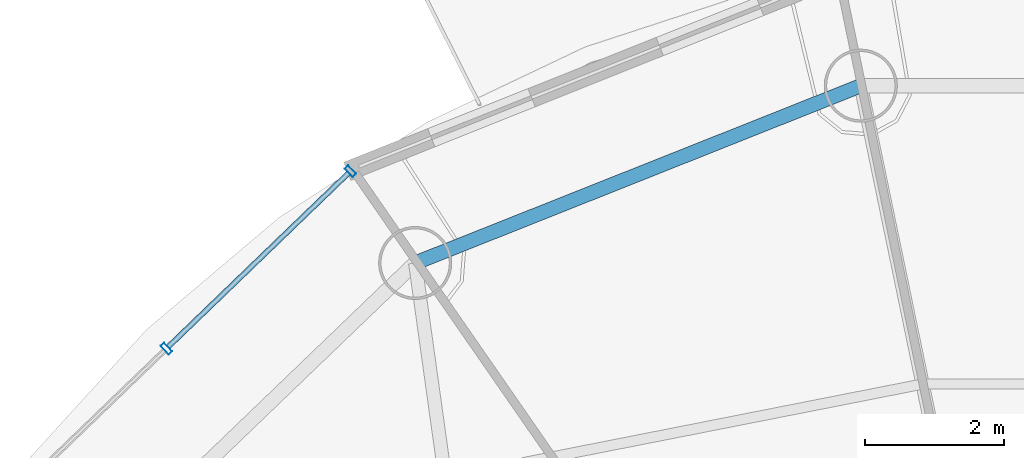
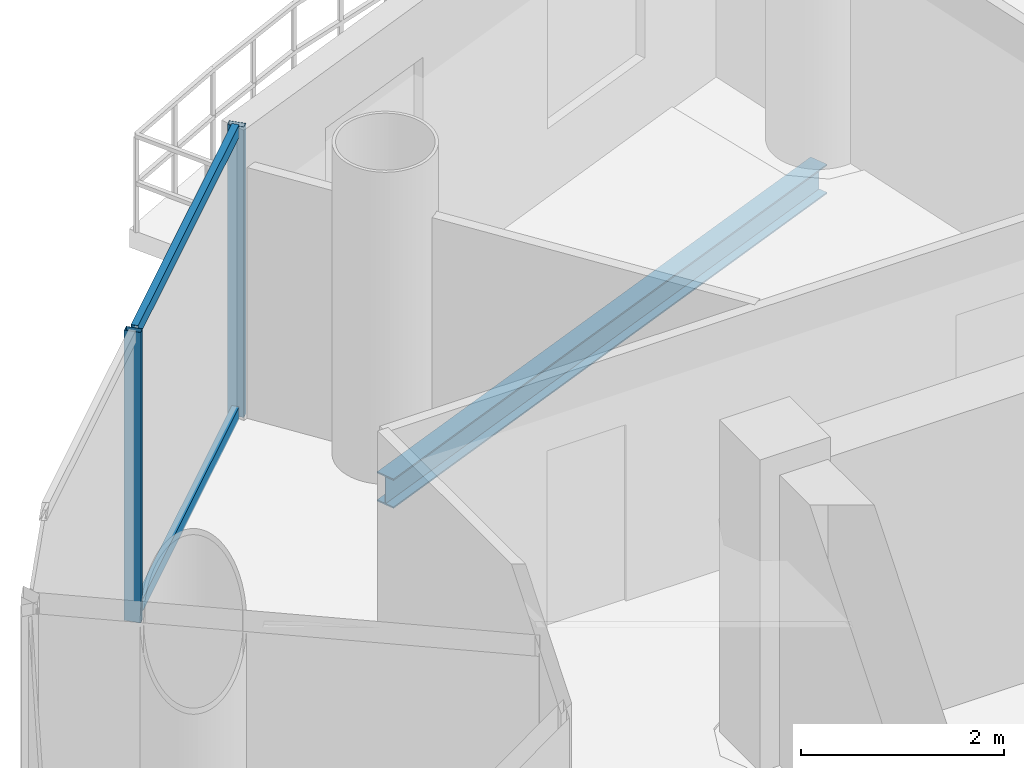
# One storey, part 13 of 23: 4 members, 1 beam, 1 element without a shape of its own.
"""IFC4 building model written with IfcOpenShell, lengths in metres."""

from ifc_helpers import new_model, si_unit, direction, frame, origin, origin_2d, place, context, subcontext, project, spatial, hollow_rectangle, i_section, extrude, source, transform, mapped, material, material_profile, profile_set, type_object, element, aggregate, save


model = new_model("IFC4")

# Units and contexts
model_context = context("Model", 3, precision=1e-05, world=origin(), true_north=direction((-0.2419218956, 0.970295726276)))
body_context = subcontext(model_context, "Body", "Model", "MODEL_VIEW")
ifc_project = project(units=[si_unit("LENGTHUNIT", "METRE"), si_unit("AREAUNIT", "SQUARE_METRE"), si_unit("VOLUMEUNIT", "CUBIC_METRE"), si_unit("PLANEANGLEUNIT", "RADIAN"), si_unit("MASSUNIT", "GRAM", prefix="KILO")], contexts=[model_context])

# Site, building, storey
site_placement = place(None, origin())
site = spatial("IfcSite", under=ifc_project, at=site_placement, CompositionType="ELEMENT")
building_placement = place(site_placement, origin())
building = spatial("IfcBuilding", under=site, at=building_placement, Name="Cobrevalo Terracotta Tower", CompositionType="ELEMENT")
storey_placement = place(building_placement, frame((0.0, 0.0, 255.699951171875)))
storey = spatial("IfcBuildingStorey", under=building, at=storey_placement, Name="L67", CompositionType="ELEMENT", Elevation=255.699951171875)

# Beam
ifc_material_1 = material(Name="Steel S355", Category="steel")
ifc_material_profile_1 = material_profile(ifc_material_1, i_section(OverallWidth=0.205078125, OverallDepth=0.35400390625, WebThickness=0.009521484375, FlangeThickness=0.016845703125, at=origin_2d()), Name="W 360x79")
ifc_profile_set_1 = profile_set([ifc_material_profile_1], Name="Steel S355")
beam_type = type_object("IfcBeamType", Name="Structural Spandrel W 360x79 (Steel S355)", PredefinedType="SPANDREL", material=ifc_profile_set_1)
beam_placement = place(storey_placement, frame((34.537109375, 43.5224609375, -0.43701171875), z_axis=(-0.929149986048, -0.369702993533, 0.0), x_axis=(0.369702993533, -0.929149986048, 0.0)))
element("IfcBeam", 1, at=beam_placement, inside=storey, type_object=beam_type, Name="L67 perimeter ring spandrel 05", PredefinedType="SPANDREL", context=body_context, shape_type="SweptSolid", body=[
    extrude(i_section(OverallWidth=0.205078125, OverallDepth=0.35400390625, WebThickness=0.009521484375, FlangeThickness=0.016845703125, at=origin_2d()), origin(), (0.0, 0.0, 1.0), 6.88623046875),
])

# Curtain wall, members
ifc_material_2 = material(Name="Anodized aluminium", Category="aluminium")
curtain_wall_type = type_object("IfcCurtainWallType", Name="Upper-tower triple-glazed penthouse curtain wall CW-U3", PredefinedType="NOTDEFINED", material=ifc_material_2)
curtain_wall_placement = place(storey_placement, origin())
curtain_wall = element("IfcCurtainWall", 2, at=curtain_wall_placement, inside=storey, type_object=curtain_wall_type, Name="L67 curtain wall CW-L67-S06", PredefinedType="NOTDEFINED")
ifc_material_profile_2 = material_profile(ifc_material_2, hollow_rectangle(XDim=0.070068359375, YDim=0.169921875, WallThickness=0.00439453125, at=origin_2d()), Name="CWM 70x170")
ifc_profile_set_2 = profile_set([ifc_material_profile_2], Name="Anodized aluminium")
member_type_1 = type_object("IfcMemberType", Name="Upper tower unitised mullion 70x170", PredefinedType="MULLION", material=ifc_profile_set_2)
shared_shape_1 = source(origin(), body_context, "Body", "SweptSolid", [
    extrude(hollow_rectangle(XDim=0.070068359375, YDim=0.169921875, WallThickness=0.00439453125, at=origin_2d()), origin(), (0.0, 0.0, 1.0), 3.489990234375),
])
member_1_placement = place(storey_placement, frame((27.209716796875, 42.2958984375, 0.0), z_axis=(0.0, 0.0, 1.0), x_axis=(-0.71999418085, -0.69398010025, 0.0)))
member_1 = element("IfcMember", 3, at=member_1_placement, type_object=member_type_1, Name="CW-L67-S06 vertical mullion 01", PredefinedType="MULLION", context=body_context, shape_type="MappedRepresentation", body=[
    mapped(shared_shape_1, transform((0.0, 0.0, 0.0), scale=1.0)),
])
member_2_placement = place(storey_placement, frame((24.56640625, 39.748046875, 0.0), z_axis=(0.0, 0.0, 1.0), x_axis=(-0.71999418085, -0.69398010025, 0.0)))
member_2 = element("IfcMember", 4, at=member_2_placement, type_object=member_type_1, Name="CW-L67-S06 vertical mullion 02", PredefinedType="MULLION", context=body_context, shape_type="MappedRepresentation", body=[
    mapped(shared_shape_1, transform((0.0, 0.0, 0.0), scale=1.0)),
])
ifc_material_profile_3 = material_profile(ifc_material_2, hollow_rectangle(XDim=0.074951171875, YDim=0.14990234375, WallThickness=0.00439453125, at=origin_2d()), Name="CWT 75x150")
ifc_profile_set_3 = profile_set([ifc_material_profile_3], Name="Anodized aluminium")
member_type_2 = type_object("IfcMemberType", Name="Tower unitised aluminium transom 75x150", PredefinedType="USERDEFINED", material=ifc_profile_set_3)
shared_shape_2 = source(origin(), body_context, "Body", "SweptSolid", [
    extrude(hollow_rectangle(XDim=0.074951171875, YDim=0.14990234375, WallThickness=0.00439453125, at=origin_2d()), origin(), (0.0, 0.0, 1.0), 3.59130859375),
])
member_3_placement = place(storey_placement, frame((27.180908203125, 42.26806640625, 0.050048828125), z_axis=(-0.720005628362, -0.693968223427, 0.0), x_axis=(0.693968223427, -0.720005628362, 0.0)))
member_3 = element("IfcMember", 5, at=member_3_placement, type_object=member_type_2, Name="CW-L67-S06 transom B01-T1", ObjectType="TRANSOM", PredefinedType="USERDEFINED", context=body_context, shape_type="MappedRepresentation", body=[
    mapped(shared_shape_2, transform((0.0, 0.0, 0.0), scale=1.0)),
])
member_4_placement = place(storey_placement, frame((27.180908203125, 42.26806640625, 3.43994140625), z_axis=(-0.720005628362, -0.693968223427, 0.0), x_axis=(0.693968223427, -0.720005628362, 0.0)))
member_4 = element("IfcMember", 6, at=member_4_placement, type_object=member_type_2, Name="CW-L67-S06 transom B01-T2", ObjectType="TRANSOM", PredefinedType="USERDEFINED", context=body_context, shape_type="MappedRepresentation", body=[
    mapped(shared_shape_2, transform((0.0, 0.0, 0.0), scale=1.0)),
])
aggregate(curtain_wall, [member_1, member_2, member_3, member_4])

save(model, "model.ifc")
